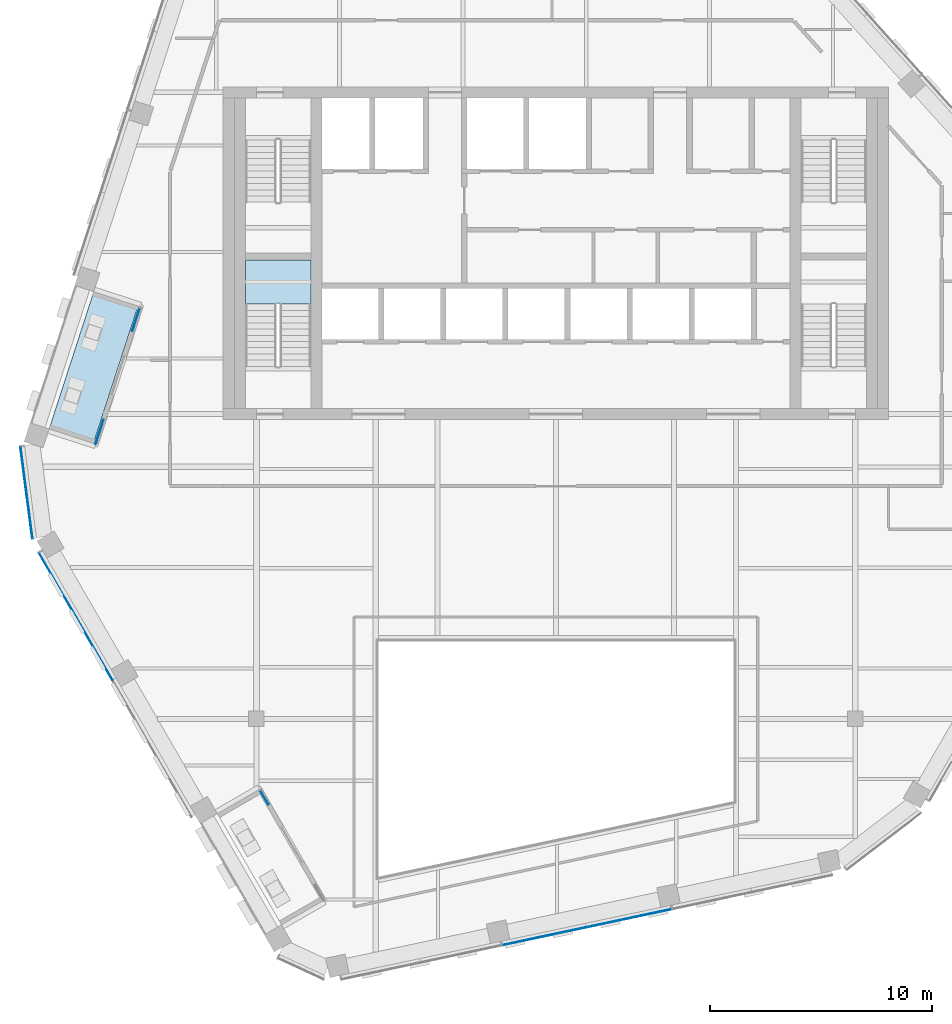
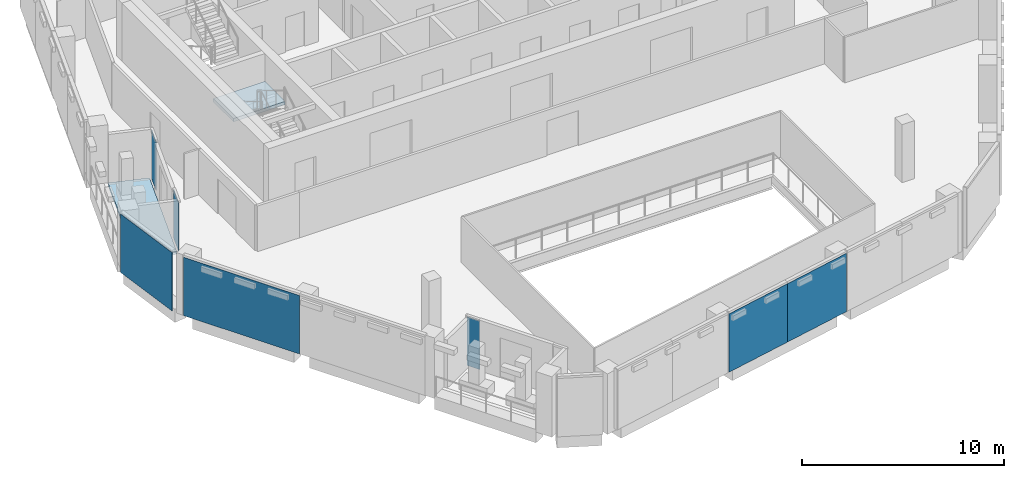
# One storey, part 10 of 22: 7 plates, 2 slabs, 6 elements without a shape of their own.
"""IFC4 building model written with IfcOpenShell, lengths in metres."""

from ifc_helpers import new_model, si_unit, direction, frame, origin, origin_2d, place, context, subcontext, project, spatial, polyline, rectangle, outline, extrude, material, layer, layer_set, type_object, element, aggregate, save


model = new_model("IFC4")

# Units and contexts
model_context = context("Model", 3, precision=1e-05, world=origin(), true_north=direction((0.0, 1.0)))
body_context = subcontext(model_context, "Body", "Model", "MODEL_VIEW")
ifc_project = project(units=[si_unit("LENGTHUNIT", "METRE"), si_unit("AREAUNIT", "SQUARE_METRE"), si_unit("VOLUMEUNIT", "CUBIC_METRE"), si_unit("PLANEANGLEUNIT", "RADIAN"), si_unit("MASSUNIT", "GRAM", prefix="KILO")], contexts=[model_context])

# Site, building, storey
site_placement = place(None, origin())
site = spatial("IfcSite", under=ifc_project, at=site_placement, CompositionType="ELEMENT")
building_placement = place(site_placement, origin())
building = spatial("IfcBuilding", under=site, at=building_placement, Name="Isthmus Gate Tower", CompositionType="ELEMENT")
storey_placement = place(building_placement, frame((0.0, 0.0, 264.60009765625)))
storey = spatial("IfcBuildingStorey", under=building, at=storey_placement, Name="L67", CompositionType="ELEMENT", Elevation=264.60009765625)

# Curtain wall, plate
ifc_material_1 = material(Name="Aluminium, pale champagne anodised", Category="aluminium")
ifc_layer_1 = layer(ifc_material_1, 0.199951171875)
ifc_layer_set_1 = layer_set([ifc_layer_1], Name="CW-1 UNITISED CURTAIN WALL 200 DEEP")
curtain_wall_type_1 = type_object("IfcCurtainWallType", Name="CW-1 UNITISED CURTAIN WALL 200 DEEP", PredefinedType="NOTDEFINED", material=ifc_layer_set_1)
curtain_wall_1_placement = place(storey_placement, origin())
curtain_wall_1 = element("IfcCurtainWall", 1, at=curtain_wall_1_placement, inside=storey, type_object=curtain_wall_type_1, Name="CW-1 NW-SW L67", PredefinedType="NOTDEFINED")
ifc_material_2 = material(Name="Laminated low-iron glass, pale blue tint", Category="glass")
ifc_layer_2 = layer(ifc_material_2, 0.031982421875)
ifc_layer_set_2 = layer_set([ifc_layer_2], Name="CW-1 CLEAR GLASS LITE 32")
plate_type_1 = type_object("IfcPlateType", Name="CW-1 CLEAR GLASS LITE 32", PredefinedType="CURTAIN_PANEL", material=ifc_layer_set_2)
plate_1_placement = place(storey_placement, frame((-23.866943359375, -3.2998046875, 0.0), z_axis=(0.0, 0.0, 1.0), x_axis=(0.129164534, -0.991623175988, 0.0)))
plate_1 = element("IfcPlate", 2, at=plate_1_placement, type_object=plate_type_1, Name="CW-1 glass lite", PredefinedType="CURTAIN_PANEL", context=body_context, shape_type="SweptSolid", body=[
    extrude(rectangle(XDim=4.181396484375, YDim=0.031982421875, at=origin_2d()), origin(), (0.0, 0.0, 1.0), 3.52001953125),
])
aggregate(curtain_wall_1, [plate_1])

curtain_wall_2_placement = place(storey_placement, origin())
curtain_wall_2 = element("IfcCurtainWall", 3, at=curtain_wall_2_placement, inside=storey, type_object=curtain_wall_type_1, Name="CW-1 SW L67", PredefinedType="NOTDEFINED")
plate_2_placement = place(storey_placement, frame((-21.646484375, -8.875244140625, 0.0), z_axis=(0.0, 0.0, 1.0), x_axis=(0.5, -0.866025403784, 0.0)))
plate_2 = element("IfcPlate", 4, at=plate_2_placement, type_object=plate_type_1, Name="CW-1 glass lite", PredefinedType="CURTAIN_PANEL", context=body_context, shape_type="SweptSolid", body=[
    extrude(rectangle(XDim=6.62451171875, YDim=0.031982421875, at=origin_2d()), origin(), (0.0, 0.0, 1.0), 3.52001953125),
])
aggregate(curtain_wall_2, [plate_2])

# Curtain wall, plates
curtain_wall_3_placement = place(storey_placement, origin())
curtain_wall_3 = element("IfcCurtainWall", 5, at=curtain_wall_3_placement, inside=storey, type_object=curtain_wall_type_1, Name="CW-1 S L67", PredefinedType="NOTDEFINED")
plate_3_placement = place(storey_placement, frame((-0.5234375, -23.29931640625, 0.0), z_axis=(0.0, 0.0, 1.0), x_axis=(0.978147600734, 0.207911690818, 0.0)))
plate_3 = element("IfcPlate", 6, at=plate_3_placement, type_object=plate_type_1, Name="CW-1 glass lite", PredefinedType="CURTAIN_PANEL", context=body_context, shape_type="SweptSolid", body=[
    extrude(rectangle(XDim=3.868408203125, YDim=0.031982421875, at=origin_2d()), origin(), (0.0, 0.0, 1.0), 3.52001953125),
])
plate_4_placement = place(storey_placement, frame((3.289794921875, -22.48876953125, 0.0), z_axis=(0.0, 0.0, 1.0), x_axis=(0.978147600734, 0.207911690818, 0.0)))
plate_4 = element("IfcPlate", 7, at=plate_4_placement, type_object=plate_type_1, Name="CW-1 glass lite", PredefinedType="CURTAIN_PANEL", context=body_context, shape_type="SweptSolid", body=[
    extrude(rectangle(XDim=3.928466796875, YDim=0.031982421875, at=origin_2d()), origin(), (0.0, 0.0, 1.0), 3.52001953125),
])
aggregate(curtain_wall_3, [plate_3, plate_4])

ifc_material_3 = material(Name="Aluminium, pale champagne anodised", Category="aluminium")
ifc_layer_3 = layer(ifc_material_3, 0.14990234375)
ifc_layer_set_3 = layer_set([ifc_layer_3], Name="CW-6 LOGGIA BACK WALL GLAZING 150 DEEP")
curtain_wall_type_2 = type_object("IfcCurtainWallType", Name="CW-6 LOGGIA BACK WALL GLAZING 150 DEEP", PredefinedType="NOTDEFINED", material=ifc_layer_set_3)
curtain_wall_4_placement = place(storey_placement, origin())
curtain_wall_4 = element("IfcCurtainWall", 8, at=curtain_wall_4_placement, inside=storey, type_object=curtain_wall_type_2, Name="CW-6 NW L67", PredefinedType="NOTDEFINED")
ifc_material_4 = material(Name="Laminated low-iron glass, clear", Category="glass")
ifc_layer_4 = layer(ifc_material_4, 0.031982421875)
ifc_layer_set_4 = layer_set([ifc_layer_4], Name="CW-6 CLEAR GLASS LITE 32")
plate_type_2 = type_object("IfcPlateType", Name="CW-6 CLEAR GLASS LITE 32", PredefinedType="CURTAIN_PANEL", material=ifc_layer_set_4)
plate_5_placement = place(storey_placement, frame((-18.93115234375, 4.507568359375, 0.0), z_axis=(0.0, 0.0, 1.0), x_axis=(-0.309016994375, -0.951056516295, 0.0)))
plate_5 = element("IfcPlate", 9, at=plate_5_placement, type_object=plate_type_2, Name="CW-6 glass lite", PredefinedType="CURTAIN_PANEL", context=body_context, shape_type="SweptSolid", body=[
    extrude(rectangle(XDim=1.093505859375, YDim=0.031982421875, at=origin_2d()), origin(), (0.0, 0.0, 1.0), 2.929931640625),
])
plate_6_placement = place(storey_placement, frame((-20.576171875, -0.555419921875, 0.0), z_axis=(0.0, 0.0, 1.0), x_axis=(-0.309016994375, -0.951056516295, 0.0)))
plate_6 = element("IfcPlate", 10, at=plate_6_placement, type_object=plate_type_2, Name="CW-6 glass lite", PredefinedType="CURTAIN_PANEL", context=body_context, shape_type="SweptSolid", body=[
    extrude(rectangle(XDim=1.1533203125, YDim=0.031982421875, at=origin_2d()), origin(), (0.0, 0.0, 1.0), 2.929931640625),
])
aggregate(curtain_wall_4, [plate_5, plate_6])

# Curtain wall, plate
curtain_wall_5_placement = place(storey_placement, origin())
curtain_wall_5 = element("IfcCurtainWall", 11, at=curtain_wall_5_placement, inside=storey, type_object=curtain_wall_type_2, Name="CW-6 SW L67", PredefinedType="NOTDEFINED")
plate_7_placement = place(storey_placement, frame((-13.14111328125, -17.0390625, 0.0), z_axis=(0.0, 0.0, 1.0), x_axis=(0.5, -0.866025403784, 0.0)))
plate_7 = element("IfcPlate", 12, at=plate_7_placement, type_object=plate_type_2, Name="CW-6 glass lite", PredefinedType="CURTAIN_PANEL", context=body_context, shape_type="SweptSolid", body=[
    extrude(rectangle(XDim=0.732177734375, YDim=0.031982421875, at=origin_2d()), origin(), (0.0, 0.0, 1.0), 2.929931640625),
])
aggregate(curtain_wall_5, [plate_7])

# Slab
ifc_material_5 = material(Name="Concrete f'c 50 MPa", Category="concrete")
ifc_layer_5 = layer(ifc_material_5, 0.14990234375)
ifc_layer_set_5 = layer_set([ifc_layer_5], Name="LOGGIA FLOOR SLAB 150")
slab_type_1 = type_object("IfcSlabType", Name="LOGGIA FLOOR SLAB 150", PredefinedType="FLOOR", material=ifc_layer_set_5)
slab_1_placement = place(storey_placement, frame((0.0, 0.0, -0.150146484375)))
element("IfcSlab", 13, at=slab_1_placement, inside=storey, type_object=slab_type_1, Name="LOGGIA FLOOR", PredefinedType="FLOOR", context=body_context, shape_type="SweptSolid", body=[
    extrude(outline(polyline([(-20.8359375, 5.764404296875), (-22.8466796875, -0.424072265625), (-20.849365234375, -1.072998046875), (-18.838623046875, 5.115478515625), (-20.8359375, 5.764404296875)])), origin(), (0.0, 0.0, 1.0), 0.150146484375),
])

# Stair, slab
ifc_material_6 = material(Name="Concrete f'c 40 MPa", Category="concrete")
stair_type = type_object("IfcStairType", Name="CORE STAIR 22 RISERS", PredefinedType="HALF_TURN_STAIR", material=ifc_material_6)
stair_placement = place(storey_placement, origin())
stair = element("IfcStair", 14, at=stair_placement, inside=storey, type_object=stair_type, Name="L67 Exit Stair 7", PredefinedType="HALF_TURN_STAIR")
ifc_material_7 = material(Name="Concrete f'c 40 MPa", Category="concrete")
ifc_layer_6 = layer(ifc_material_7, 0.199951171875)
ifc_layer_set_6 = layer_set([ifc_layer_6])
slab_type_2 = type_object("IfcSlabType", Name="STAIR LANDING RC 200", PredefinedType="LANDING", material=ifc_layer_set_6)
slab_2_placement = place(storey_placement, frame((0.0, 0.0, 1.625)))
slab_2 = element("IfcSlab", 15, at=slab_2_placement, type_object=slab_type_2, Name="ST7 landing 1", PredefinedType="LANDING", context=body_context, shape_type="SweptSolid", body=[
    extrude(outline(polyline([(-11.050048828125, 5.199951171875), (-11.050048828125, 7.199951171875), (-14.0, 7.199951171875), (-14.0, 5.199951171875), (-11.050048828125, 5.199951171875)])), origin(), (0.0, 0.0, 1.0), 0.199951171875),
])
aggregate(stair, [slab_2])

save(model, "model.ifc")
